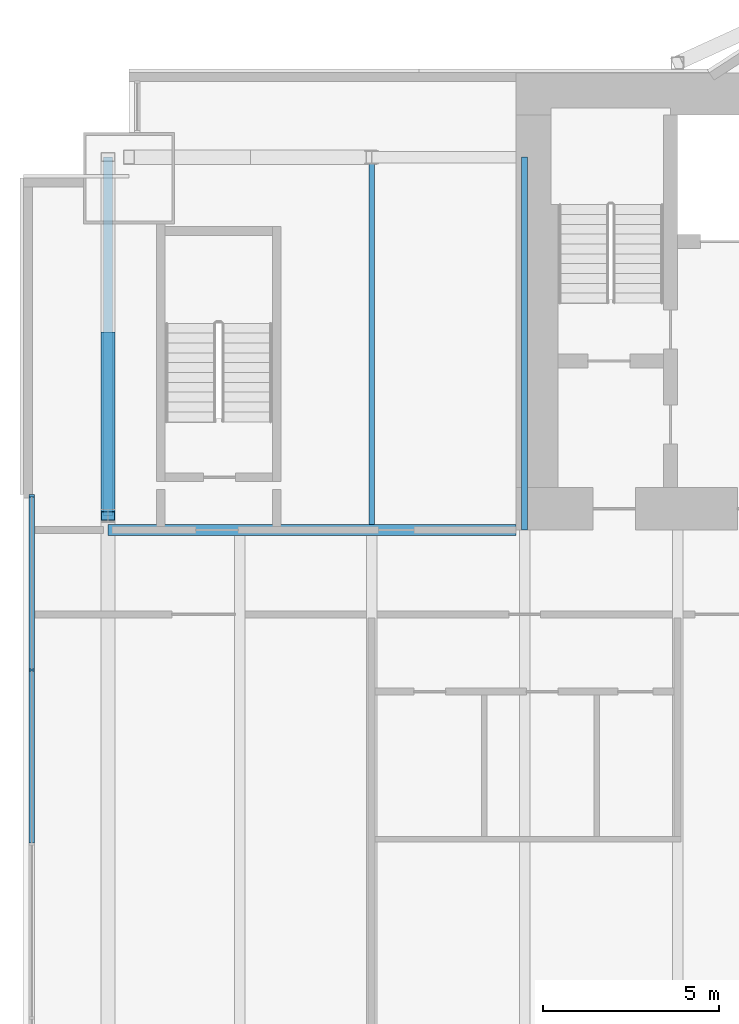
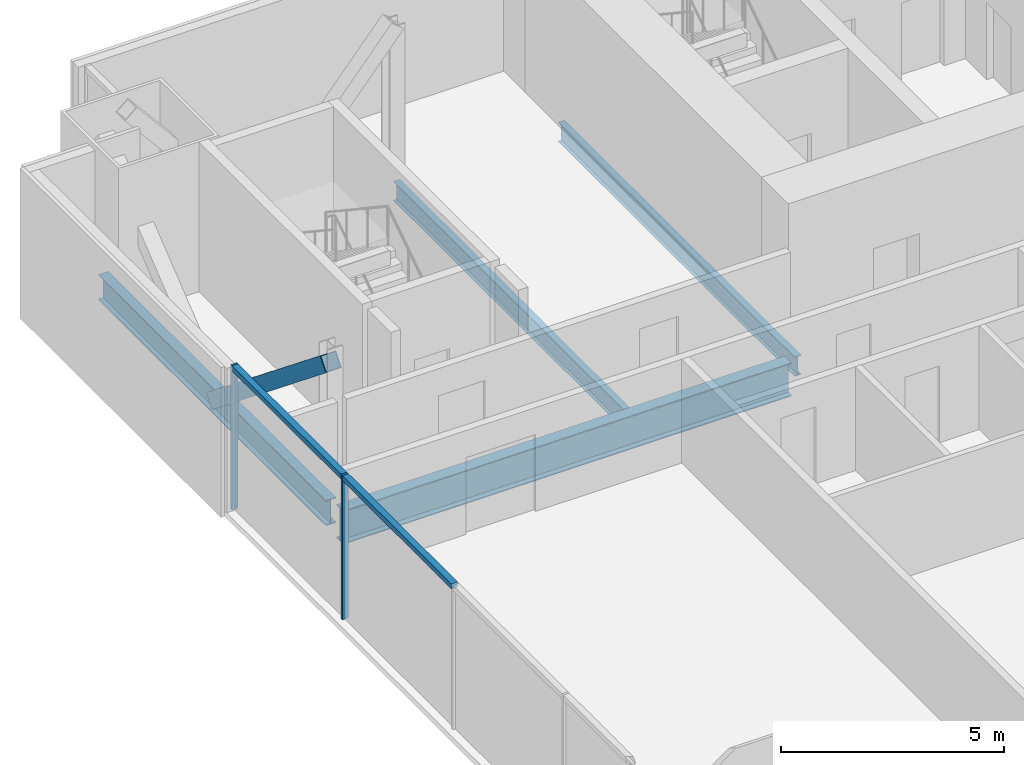
# One storey, part 7 of 21: 5 members, 4 beams, 1 element without a shape of its own.
"""IFC4 building model written with IfcOpenShell, lengths in metres."""

from ifc_helpers import new_model, si_unit, direction, frame, origin, origin_2d, place, context, subcontext, project, spatial, rectangle, hollow_rectangle, i_section, extrude, material, material_profile, profile_set, type_object, element, aggregate, save


model = new_model("IFC4")

# Units and contexts
model_context = context("Model", 3, precision=1e-05, world=origin(), true_north=direction((0.0, 1.0)))
body_context = subcontext(model_context, "Body", "Model", "MODEL_VIEW")
ifc_project = project(units=[si_unit("LENGTHUNIT", "METRE"), si_unit("AREAUNIT", "SQUARE_METRE"), si_unit("VOLUMEUNIT", "CUBIC_METRE"), si_unit("PLANEANGLEUNIT", "RADIAN"), si_unit("MASSUNIT", "GRAM", prefix="KILO")], contexts=[model_context])

# Site, building, storey
site_placement = place(None, origin())
site = spatial("IfcSite", under=ifc_project, at=site_placement, CompositionType="ELEMENT")
building_placement = place(site_placement, origin())
building = spatial("IfcBuilding", under=site, at=building_placement, Name="Bicima Exchange Tower", CompositionType="ELEMENT")
storey_placement = place(building_placement, frame((0.0, 0.0, 156.800048828125)))
storey = spatial("IfcBuildingStorey", under=building, at=storey_placement, Name="L34", CompositionType="ELEMENT", Elevation=156.800048828125)

# Beam
ifc_material_1 = material(Name="Steel ASTM A992 Gr 50", Category="steel")
ifc_material_profile_1 = material_profile(ifc_material_1, i_section(OverallWidth=0.3046875, OverallDepth=0.911865234375, WebThickness=0.015869140625, FlangeThickness=0.02392578125, at=origin_2d()))
ifc_profile_set_1 = profile_set([ifc_material_profile_1], Name="Steel ASTM A992 Gr 50")
beam_type_1 = type_object("IfcBeamType", Name="Core-line girder W36x150", PredefinedType="BEAM", material=ifc_profile_set_1)
beam_1_placement = place(storey_placement, frame((-22.0, -13.0, -0.60595703125), z_axis=(-1.0, 0.0, 0.0), x_axis=(0.0, -1.0, 0.0)))
element("IfcBeam", 1, at=beam_1_placement, inside=storey, type_object=beam_type_1, Name="Core-line girder", PredefinedType="BEAM", context=body_context, shape_type="SweptSolid", body=[
    extrude(i_section(OverallWidth=0.3046875, OverallDepth=0.911865234375, WebThickness=0.015869140625, FlangeThickness=0.02392578125, at=origin_2d()), origin(), (0.0, 0.0, 1.0), 11.60009765625),
])

# Curtain wall, members
ifc_material_2 = material(Name="Anodised bronze aluminium", Category="aluminium")
curtain_wall_type = type_object("IfcCurtainWallType", Name="End face glass wall", PredefinedType="NOTDEFINED", material=ifc_material_2)
curtain_wall_placement = place(storey_placement, origin())
curtain_wall = element("IfcCurtainWall", 2, at=curtain_wall_placement, inside=storey, type_object=curtain_wall_type, Name="End face glass wall L34 run 2", PredefinedType="NOTDEFINED")
ifc_material_profile_2 = material_profile(ifc_material_2, rectangle(XDim=0.159912109375, YDim=0.06005859375, at=origin_2d()))
ifc_profile_set_2 = profile_set([ifc_material_profile_2], Name="Anodised bronze aluminium")
member_type_1 = type_object("IfcMemberType", Name="End face glass wall mullion 60 x 160", PredefinedType="MULLION", material=ifc_profile_set_2)
member_1_placement = place(storey_placement, frame((-35.77001953125, -12.030029296875, 0.0), z_axis=(0.0, 0.0, 1.0), x_axis=(1.0, 0.0, 0.0)))
member_1 = element("IfcMember", 3, at=member_1_placement, type_object=member_type_1, Name="End face glass wall mullion 1", PredefinedType="MULLION", context=body_context, shape_type="SweptSolid", body=[
    extrude(rectangle(XDim=0.159912109375, YDim=0.06005859375, at=origin_2d()), origin(), (0.0, 0.0, 1.0), 3.949951171875),
])
member_2_placement = place(storey_placement, frame((-35.77001953125, -16.9794921875, 0.0), z_axis=(0.0, 0.0, 1.0), x_axis=(1.0, 0.0, 0.0)))
member_2 = element("IfcMember", 4, at=member_2_placement, type_object=member_type_1, Name="End face glass wall mullion 2", PredefinedType="MULLION", context=body_context, shape_type="SweptSolid", body=[
    extrude(rectangle(XDim=0.159912109375, YDim=0.06005859375, at=origin_2d()), origin(), (0.0, 0.0, 1.0), 3.949951171875),
])
ifc_material_profile_3 = material_profile(ifc_material_2, rectangle(XDim=0.159912109375, YDim=0.139892578125, at=origin_2d()))
ifc_profile_set_3 = profile_set([ifc_material_profile_3], Name="Anodised bronze aluminium")
member_type_2 = type_object("IfcMemberType", Name="End face glass wall transom 140 x 160", PredefinedType="USERDEFINED", material=ifc_profile_set_3)
member_3_placement = place(storey_placement, frame((-35.77001953125, -12.06005859375, 3.8798828125), z_axis=(0.0, -1.0, 0.0), x_axis=(1.0, 0.0, 0.0)))
member_3 = element("IfcMember", 5, at=member_3_placement, type_object=member_type_2, Name="End face glass wall transom 1.1", ObjectType="TRANSOM", PredefinedType="USERDEFINED", context=body_context, shape_type="SweptSolid", body=[
    extrude(rectangle(XDim=0.159912109375, YDim=0.139892578125, at=origin_2d()), origin(), (0.0, 0.0, 1.0), 4.889404296875),
])
member_4_placement = place(storey_placement, frame((-35.77001953125, -17.009521484375, 3.8798828125), z_axis=(0.0, -1.0, 0.0), x_axis=(1.0, 0.0, 0.0)))
member_4 = element("IfcMember", 6, at=member_4_placement, type_object=member_type_2, Name="End face glass wall transom 2.1", ObjectType="TRANSOM", PredefinedType="USERDEFINED", context=body_context, shape_type="SweptSolid", body=[
    extrude(rectangle(XDim=0.159912109375, YDim=0.139892578125, at=origin_2d()), origin(), (0.0, 0.0, 1.0), 4.889404296875),
])
aggregate(curtain_wall, [member_1, member_2, member_3, member_4])

# Beams
ifc_material_profile_4 = material_profile(ifc_material_1, i_section(OverallWidth=0.256591796875, OverallDepth=0.693359375, WebThickness=0.014404296875, FlangeThickness=0.023681640625, at=origin_2d()))
ifc_profile_set_4 = profile_set([ifc_material_profile_4], Name="Steel ASTM A992 Gr 50")
beam_type_2 = type_object("IfcBeamType", Name="End girder W27x114", PredefinedType="BEAM", material=ifc_profile_set_4)
beam_2_placement = place(storey_placement, frame((-33.60009765625, -2.39990234375, -0.496826171875), z_axis=(0.0, -1.0, 0.0), x_axis=(1.0, 0.0, 0.0)))
element("IfcBeam", 7, at=beam_2_placement, inside=storey, type_object=beam_type_2, Name="End girder", PredefinedType="BEAM", context=body_context, shape_type="SweptSolid", body=[
    extrude(i_section(OverallWidth=0.256591796875, OverallDepth=0.693359375, WebThickness=0.014404296875, FlangeThickness=0.023681640625, at=origin_2d()), origin(), (0.0, 0.0, 1.0), 10.2001953125),
])
ifc_material_profile_5 = material_profile(ifc_material_1, i_section(OverallWidth=0.165771484375, OverallDepth=0.5283203125, WebThickness=0.009765625, FlangeThickness=0.013671875, at=origin_2d()))
ifc_profile_set_5 = profile_set([ifc_material_profile_5], Name="Steel ASTM A992 Gr 50")
beam_type_3 = type_object("IfcBeamType", Name="Floor beam W21x50", PredefinedType="JOIST", material=ifc_profile_set_5)
beam_3_placement = place(storey_placement, frame((-26.10009765625, -2.5625, -0.414306640625), z_axis=(0.0, -1.0, 0.0), x_axis=(1.0, 0.0, 0.0)))
element("IfcBeam", 8, at=beam_3_placement, inside=storey, type_object=beam_type_3, Name="Floor beam", PredefinedType="JOIST", context=body_context, shape_type="SweptSolid", body=[
    extrude(i_section(OverallWidth=0.165771484375, OverallDepth=0.5283203125, WebThickness=0.009765625, FlangeThickness=0.013671875, at=origin_2d()), origin(), (0.0, 0.0, 1.0), 10.28515625),
])
beam_4_placement = place(storey_placement, frame((-21.75, -2.39990234375, -0.414306640625), z_axis=(0.0, -1.0, 0.0), x_axis=(1.0, 0.0, 0.0)))
element("IfcBeam", 9, at=beam_4_placement, inside=storey, type_object=beam_type_3, Name="Floor beam", PredefinedType="JOIST", context=body_context, shape_type="SweptSolid", body=[
    extrude(i_section(OverallWidth=0.165771484375, OverallDepth=0.5283203125, WebThickness=0.009765625, FlangeThickness=0.013671875, at=origin_2d()), origin(), (0.0, 0.0, 1.0), 10.60009765625),
])

# Member
ifc_material_3 = material(Name="Steel ASTM A572 Gr 50", Category="steel")
ifc_material_profile_6 = material_profile(ifc_material_3, hollow_rectangle(XDim=0.406494140625, YDim=0.406494140625, WallThickness=0.017822265625, at=origin_2d()))
ifc_profile_set_6 = profile_set([ifc_material_profile_6], Name="Steel ASTM A572 Gr 50")
member_type_3 = type_object("IfcMemberType", Name="Mega brace HSS16x16x3/4", PredefinedType="BRACE", material=ifc_profile_set_6)
member_5_placement = place(storey_placement, frame((-33.60009765625, -7.5, -0.496826171875), z_axis=(0.0, -0.779374241895, 0.626558689247), x_axis=(1.0, 0.0, 0.0)))
element("IfcMember", 10, at=member_5_placement, inside=storey, type_object=member_type_3, Name="Mega brace west end", PredefinedType="BRACE", context=body_context, shape_type="SweptSolid", body=[
    extrude(hollow_rectangle(XDim=0.406494140625, YDim=0.406494140625, WallThickness=0.017822265625, at=origin_2d()), origin(), (0.0, 0.0, 1.0), 6.5439453125),
])

save(model, "model.ifc")
